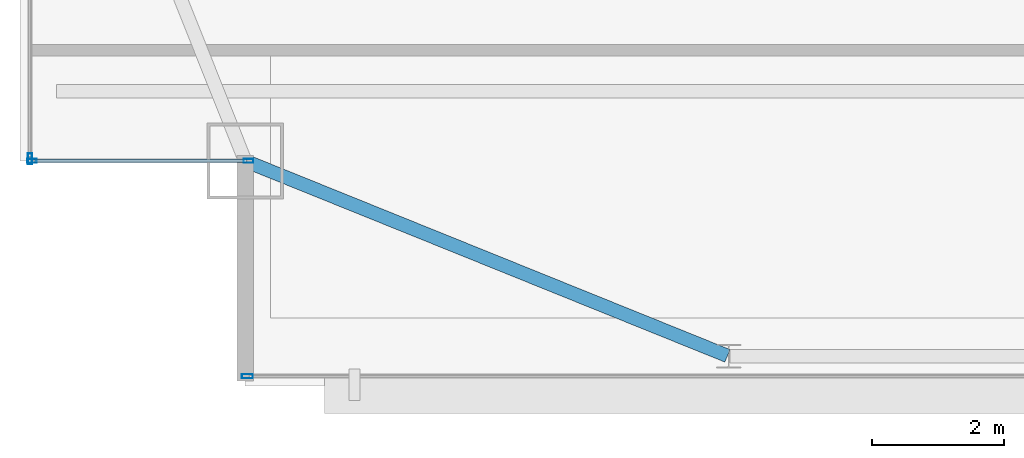
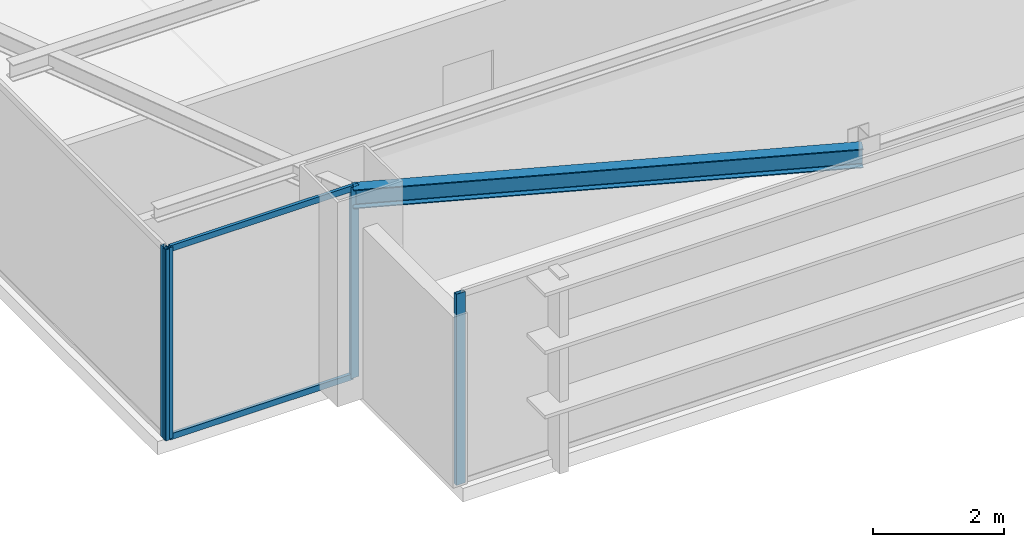
# One storey, part 4 of 27: 6 members, 1 beam, 3 elements without a shape of their own.
"""IFC4 building model written with IfcOpenShell, lengths in metres."""

from ifc_helpers import new_model, si_unit, direction, frame, origin, origin_2d, place, context, subcontext, project, spatial, hollow_rectangle, i_section, extrude, source, transform, mapped, material, layer, layer_set, material_profile, profile_set, type_object, type_shapes, element, aggregate, save


model = new_model("IFC4")

# Units and contexts
model_context = context("Model", 3, precision=1e-05, world=origin(), true_north=direction((0.0, 1.0)))
body_context = subcontext(model_context, "Body", "Model", "MODEL_VIEW")
ifc_project = project(units=[si_unit("LENGTHUNIT", "METRE"), si_unit("AREAUNIT", "SQUARE_METRE"), si_unit("VOLUMEUNIT", "CUBIC_METRE"), si_unit("PLANEANGLEUNIT", "RADIAN"), si_unit("MASSUNIT", "GRAM", prefix="KILO")], contexts=[model_context])

# Site, building, storey
site_placement = place(None, origin())
site = spatial("IfcSite", under=ifc_project, at=site_placement, CompositionType="ELEMENT")
building_placement = place(site_placement, origin())
building = spatial("IfcBuilding", under=site, at=building_placement, Name="Varnel Quay Broadcast Tower", CompositionType="ELEMENT")
storey_placement = place(building_placement, frame((0.0, 0.0, 203.60009765625)))
storey = spatial("IfcBuildingStorey", under=building, at=storey_placement, Name="L50", CompositionType="ELEMENT", Elevation=203.60009765625)

# Beam
ifc_material_1 = material(Name="Structural Steel CSA G40.21 350W", Category="steel")
ifc_material_profile_1 = material_profile(ifc_material_1, i_section(OverallWidth=0.205078125, OverallDepth=0.35400390625, WebThickness=0.009521484375, FlangeThickness=0.016845703125, FilletRadius=0.012939453125, at=origin_2d()), Name="W360X79")
ifc_profile_set_1 = profile_set([ifc_material_profile_1], Name="Structural Steel CSA G40.21 350W")
beam_type = type_object("IfcBeamType", Name="Beam_W360X79", PredefinedType="SPANDREL", material=ifc_profile_set_1)
shared_shape_1 = source(origin(), body_context, "Body", "SweptSolid", [
    extrude(i_section(OverallWidth=0.205078125, OverallDepth=0.35400390625, WebThickness=0.009521484375, FlangeThickness=0.016845703125, FilletRadius=0.012939453125, at=origin_2d()), origin(), (0.0, 0.0, 1.0), 7.83349609375),
])
type_shapes(beam_type, [shared_shape_1])
beam_placement = place(storey_placement, frame((12.91845703125, 13.592529296875, 3.372802734375), z_axis=(0.927155449606, -0.374676890489, 0.0), x_axis=(0.374676890489, 0.927155449606, 0.0)))
element("IfcBeam", 1, at=beam_placement, inside=storey, type_object=beam_type, Name="L50 South Spandrel MC-SW-TC-S1", PredefinedType="SPANDREL", context=body_context, shape_type="MappedRepresentation", body=[
    mapped(shared_shape_1, transform((0.0, 0.0, 0.0), x_axis=(1.0, 0.0, 0.0), y_axis=(0.0, 1.0, 0.0), z_axis=(0.0, 0.0, 1.0), scale=1.0)),
])

# Curtain wall, members
ifc_material_2 = material(Name="Anodised Bronze Aluminium 6063-T6", Category="aluminium")
ifc_layer_1 = layer(ifc_material_2, 0.18994140625, Name="Anodised Bronze Aluminium 6063-T6")
ifc_layer_set_1 = layer_set([ifc_layer_1], Name="Anodised Bronze Aluminium 6063-T6")
curtain_wall_type_1 = type_object("IfcCurtainWallType", Name="CW_NotchCorner", PredefinedType="NOTDEFINED", material=ifc_layer_set_1)
curtain_wall_1_placement = place(storey_placement, origin())
curtain_wall_1 = element("IfcCurtainWall", 2, at=curtain_wall_1_placement, inside=storey, type_object=curtain_wall_type_1, Name="L50 SW Notch Curtain Wall", PredefinedType="NOTDEFINED")
ifc_material_profile_2 = material_profile(ifc_material_2, hollow_rectangle(XDim=0.06005859375, YDim=0.14501953125, WallThickness=0.00341796875, at=origin_2d()), Name="ALU60X145X3.5")
ifc_profile_set_2 = profile_set([ifc_material_profile_2], Name="Anodised Bronze Aluminium 6063-T6")
member_type_1 = type_object("IfcMemberType", Name="Mull_CWS-04", PredefinedType="MULLION", material=ifc_profile_set_2)
shared_shape_2 = source(origin(), body_context, "Body", "SweptSolid", [
    extrude(hollow_rectangle(XDim=0.06005859375, YDim=0.14501953125, WallThickness=0.00341796875, at=origin_2d()), origin(), (0.0, 0.0, 1.0), 3.5498046875),
])
type_shapes(member_type_1, [shared_shape_2])
member_1_placement = place(storey_placement, frame((9.679931640625, 13.60009765625, 0.0), z_axis=(0.0, 0.0, 1.0), x_axis=(0.0, 1.0, 0.0)))
member_1 = element("IfcMember", 3, at=member_1_placement, type_object=member_type_1, Name="CWS-04 mullion 1", PredefinedType="MULLION", context=body_context, shape_type="MappedRepresentation", body=[
    mapped(shared_shape_2, transform((0.0, 0.0, 0.0), x_axis=(1.0, 0.0, 0.0), y_axis=(0.0, 1.0, 0.0), z_axis=(0.0, 0.0, 1.0), scale=1.0)),
])
member_2_placement = place(storey_placement, frame((12.949951171875, 13.60009765625, 0.0), z_axis=(0.0, 0.0, 1.0), x_axis=(0.0, 1.0, 0.0)))
member_2 = element("IfcMember", 4, at=member_2_placement, type_object=member_type_1, Name="CWS-04 mullion 2", PredefinedType="MULLION", context=body_context, shape_type="MappedRepresentation", body=[
    mapped(shared_shape_2, transform((0.0, 0.0, 0.0), x_axis=(1.0, 0.0, 0.0), y_axis=(0.0, 1.0, 0.0), z_axis=(0.0, 0.0, 1.0), scale=1.0)),
])

# Curtain wall, member
ifc_layer_2 = layer(ifc_material_2, 0.18994140625, Name="Anodised Bronze Aluminium 6063-T6")
ifc_layer_set_2 = layer_set([ifc_layer_2], Name="Anodised Bronze Aluminium 6063-T6")
curtain_wall_type_2 = type_object("IfcCurtainWallType", Name="CW_UpperTower", PredefinedType="NOTDEFINED", material=ifc_layer_set_2)
curtain_wall_2_placement = place(storey_placement, origin())
curtain_wall_2 = element("IfcCurtainWall", 5, at=curtain_wall_2_placement, inside=storey, type_object=curtain_wall_type_2, Name="L50 South Unitised Curtain Wall 1", PredefinedType="NOTDEFINED")
ifc_material_profile_3 = material_profile(ifc_material_2, hollow_rectangle(XDim=0.06494140625, YDim=0.1650390625, WallThickness=0.00341796875, at=origin_2d()), Name="ALU65X165X3.5")
ifc_profile_set_3 = profile_set([ifc_material_profile_3], Name="Anodised Bronze Aluminium 6063-T6")
member_type_2 = type_object("IfcMemberType", Name="Mull_CWS-03", PredefinedType="MULLION", material=ifc_profile_set_3)
shared_shape_3 = source(origin(), body_context, "Body", "SweptSolid", [
    extrude(hollow_rectangle(XDim=0.06494140625, YDim=0.1650390625, WallThickness=0.00341796875, at=origin_2d()), origin(), (0.0, 0.0, 1.0), 3.5498046875),
])
type_shapes(member_type_2, [shared_shape_3])
member_3_placement = place(storey_placement, frame((12.9326171875, 10.35009765625, 0.0), z_axis=(0.0, 0.0, 1.0), x_axis=(0.0, 1.0, 0.0)))
member_3 = element("IfcMember", 6, at=member_3_placement, type_object=member_type_2, Name="CWS-03 mullion 1", PredefinedType="MULLION", context=body_context, shape_type="MappedRepresentation", body=[
    mapped(shared_shape_3, transform((0.0, 0.0, 0.0), x_axis=(1.0, 0.0, 0.0), y_axis=(0.0, 1.0, 0.0), z_axis=(0.0, 0.0, 1.0), scale=1.0)),
])
aggregate(curtain_wall_2, [member_3])

curtain_wall_3_placement = place(storey_placement, origin())
curtain_wall_3 = element("IfcCurtainWall", 7, at=curtain_wall_3_placement, inside=storey, type_object=curtain_wall_type_2, Name="L50 West Unitised Curtain Wall", PredefinedType="NOTDEFINED")
member_4_placement = place(storey_placement, frame((9.64990234375, 13.632568359375, 0.0), z_axis=(0.0, 0.0, 1.0), x_axis=(-1.0, 0.0, 0.0)))
member_4 = element("IfcMember", 8, at=member_4_placement, type_object=member_type_2, Name="CWS-03 mullion 1", PredefinedType="MULLION", context=body_context, shape_type="MappedRepresentation", body=[
    mapped(shared_shape_3, transform((0.0, 0.0, 0.0), x_axis=(1.0, 0.0, 0.0), y_axis=(0.0, 1.0, 0.0), z_axis=(0.0, 0.0, 1.0), scale=1.0)),
])
aggregate(curtain_wall_3, [member_4])

# Member
ifc_material_profile_4 = material_profile(ifc_material_2, hollow_rectangle(XDim=0.054931640625, YDim=0.110107421875, WallThickness=0.0029296875, at=origin_2d()), Name="ALU55X110X3")
ifc_profile_set_4 = profile_set([ifc_material_profile_4], Name="Anodised Bronze Aluminium 6063-T6")
member_type_3 = type_object("IfcMemberType", Name="Tran_CWS-04", PredefinedType="USERDEFINED", material=ifc_profile_set_4)
shared_shape_4 = source(origin(), body_context, "Body", "SweptSolid", [
    extrude(hollow_rectangle(XDim=0.054931640625, YDim=0.110107421875, WallThickness=0.0029296875, at=origin_2d()), origin(), (0.0, 0.0, 1.0), 3.2099609375),
])
type_shapes(member_type_3, [shared_shape_4])
member_5_placement = place(storey_placement, frame((9.7099609375, 13.60009765625, 0.02734375), z_axis=(1.0, 0.0, 0.0), x_axis=(0.0, 1.0, 0.0)))
member_5 = element("IfcMember", 9, at=member_5_placement, type_object=member_type_3, Name="CWS-04 transom 1.1", ObjectType="TRANSOM", PredefinedType="USERDEFINED", context=body_context, shape_type="MappedRepresentation", body=[
    mapped(shared_shape_4, transform((0.0, 0.0, 0.0), x_axis=(1.0, 0.0, 0.0), y_axis=(0.0, 1.0, 0.0), z_axis=(0.0, 0.0, 1.0), scale=1.0)),
])

member_6_placement = place(storey_placement, frame((9.7099609375, 13.60009765625, 3.5224609375), z_axis=(1.0, 0.0, 0.0), x_axis=(0.0, 1.0, 0.0)))
member_6 = element("IfcMember", 10, at=member_6_placement, type_object=member_type_3, Name="CWS-04 transom 1.2", ObjectType="TRANSOM", PredefinedType="USERDEFINED", context=body_context, shape_type="MappedRepresentation", body=[
    mapped(shared_shape_4, transform((0.0, 0.0, 0.0), x_axis=(1.0, 0.0, 0.0), y_axis=(0.0, 1.0, 0.0), z_axis=(0.0, 0.0, 1.0), scale=1.0)),
])

aggregate(curtain_wall_1, [member_1, member_2, member_5, member_6])

save(model, "model.ifc")
